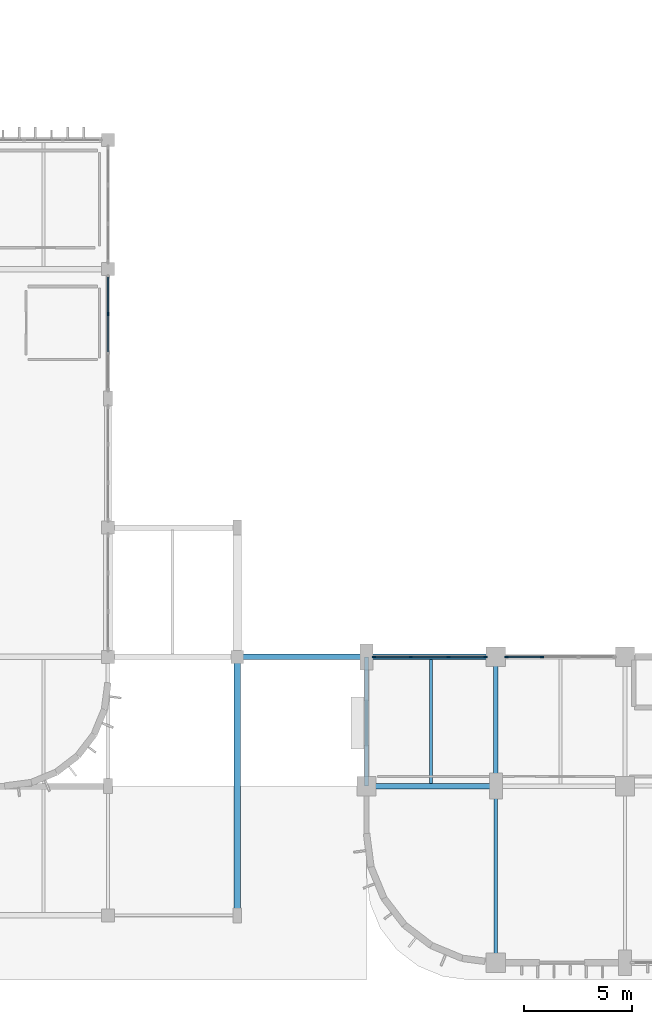
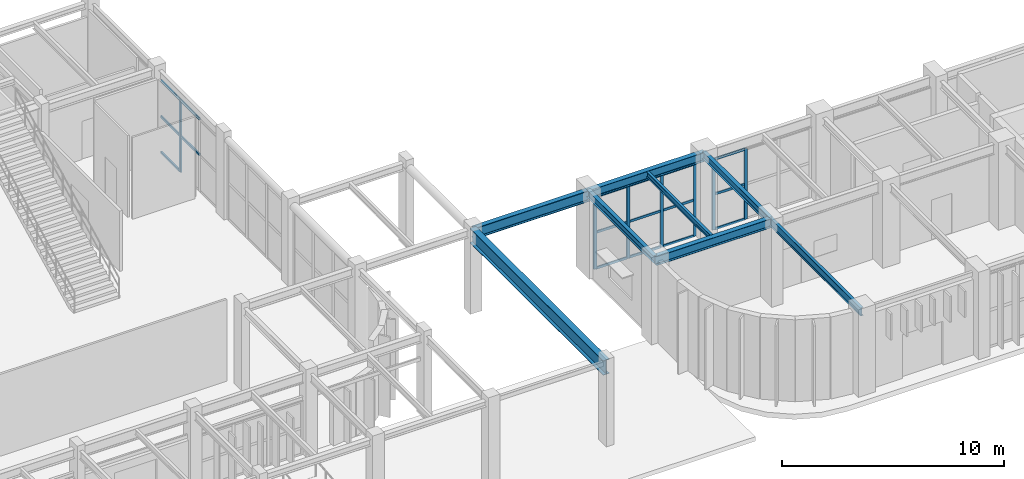
# One storey, part 16 of 76: 24 members, 8 beams, 3 elements without a shape of their own.
"""IFC4 building model written with IfcOpenShell, lengths in metres."""

from ifc_helpers import new_model, si_unit, direction, frame, origin, origin_2d, place, context, subcontext, project, spatial, rectangle, i_section, extrude, material, material_profile, profile_set, type_object, element, aggregate, save


model = new_model("IFC4")

# Units and contexts
model_context = context("Model", 3, precision=1e-05, world=origin(), true_north=direction((0.0, 1.0)))
body_context = subcontext(model_context, "Body", "Model", "MODEL_VIEW")
ifc_project = project(units=[si_unit("LENGTHUNIT", "METRE"), si_unit("AREAUNIT", "SQUARE_METRE"), si_unit("VOLUMEUNIT", "CUBIC_METRE"), si_unit("PLANEANGLEUNIT", "RADIAN"), si_unit("MASSUNIT", "GRAM", prefix="KILO")], contexts=[model_context])

# Site, building, storey
site_placement = place(None, origin())
site = spatial("IfcSite", under=ifc_project, at=site_placement, CompositionType="ELEMENT")
building_placement = place(site_placement, origin())
building = spatial("IfcBuilding", under=site, at=building_placement, Name="Varnakota Square Police Headquarters", CompositionType="ELEMENT")
storey_placement = place(building_placement, origin())
storey = spatial("IfcBuildingStorey", under=building, at=storey_placement, Name="L00", CompositionType="ELEMENT", Elevation=0.0)

# Beams
ifc_material_1 = material(Name="Steel IS 2062 Grade 350", Category="steel")
ifc_material_profile_1 = material_profile(ifc_material_1, i_section(OverallWidth=0.320068359375, OverallDepth=0.800048828125, WebThickness=0.01611328125, FlangeThickness=0.028076171875, at=origin_2d()), Name="BPG 800x320")
ifc_profile_set_1 = profile_set([ifc_material_profile_1], Name="Steel IS 2062 Grade 350")
beam_type_1 = type_object("IfcBeamType", Name="BM-BPG800", PredefinedType="BEAM", material=ifc_profile_set_1)
beam_1_placement = place(storey_placement, frame((102.0, 3.0, 4.10009765625), z_axis=(0.0, 1.0, 0.0), x_axis=(-1.0, 0.0, 0.0)))
element("IfcBeam", 1, at=beam_1_placement, inside=storey, type_object=beam_type_1, Name="BMG-L00-1079", PredefinedType="BEAM", context=body_context, shape_type="SweptSolid", body=[
    extrude(i_section(OverallWidth=0.320068359375, OverallDepth=0.800048828125, WebThickness=0.01611328125, FlangeThickness=0.028076171875, at=origin_2d()), origin(), (0.0, 0.0, 1.0), 12.0),
])
ifc_material_profile_2 = material_profile(ifc_material_1, i_section(OverallWidth=0.139892578125, OverallDepth=0.300048828125, WebThickness=0.0078125, FlangeThickness=0.01318359375, FilletRadius=0.013916015625, at=origin_2d()), Name="ISMB 300")
ifc_profile_set_2 = profile_set([ifc_material_profile_2], Name="Steel IS 2062 Grade 350")
beam_type_2 = type_object("IfcBeamType", Name="BM-ISMB300", PredefinedType="JOIST", material=ifc_profile_set_2)
beam_2_placement = place(storey_placement, frame((111.0, 9.123046875, 4.35009765625), z_axis=(0.0, 1.0, 0.0), x_axis=(-1.0, 0.0, 0.0)))
element("IfcBeam", 2, at=beam_2_placement, inside=storey, type_object=beam_type_2, Name="BMG-L00-1257", PredefinedType="JOIST", context=body_context, shape_type="SweptSolid", body=[
    extrude(i_section(OverallWidth=0.139892578125, OverallDepth=0.300048828125, WebThickness=0.0078125, FlangeThickness=0.01318359375, FilletRadius=0.013916015625, at=origin_2d()), origin(), (0.0, 0.0, 1.0), 5.75390625),
])
ifc_material_profile_3 = material_profile(ifc_material_1, i_section(OverallWidth=0.14990234375, OverallDepth=0.449951171875, WebThickness=0.009521484375, FlangeThickness=0.017333984375, FilletRadius=0.014892578125, at=origin_2d()), Name="ISMB 450")
ifc_profile_set_3 = profile_set([ifc_material_profile_3], Name="Steel IS 2062 Grade 350")
beam_type_3 = type_object("IfcBeamType", Name="BM-ISMB450", PredefinedType="BEAM", material=ifc_profile_set_3)
beam_3_placement = place(storey_placement, frame((114.0, 0.800048828125, 4.27490234375), z_axis=(0.0, 1.0, 0.0), x_axis=(-1.0, 0.0, 0.0)))
element("IfcBeam", 3, at=beam_3_placement, inside=storey, type_object=beam_type_3, Name="BMG-L00-1087", PredefinedType="BEAM", context=body_context, shape_type="SweptSolid", body=[
    extrude(i_section(OverallWidth=0.14990234375, OverallDepth=0.449951171875, WebThickness=0.009521484375, FlangeThickness=0.017333984375, FilletRadius=0.014892578125, at=origin_2d()), origin(), (0.0, 0.0, 1.0), 8.199951171875),
])
ifc_material_profile_4 = material_profile(ifc_material_1, i_section(OverallWidth=0.199951171875, OverallDepth=0.39990234375, WebThickness=0.008544921875, FlangeThickness=0.012939453125, FilletRadius=0.012939453125, at=origin_2d()), Name="ISWB 400")
ifc_profile_set_4 = profile_set([ifc_material_profile_4], Name="Steel IS 2062 Grade 350")
beam_type_4 = type_object("IfcBeamType", Name="BM-ISWB400", PredefinedType="BEAM", material=ifc_profile_set_4)
for number, where, z_axis, x_axis, name in (
    (4, (108.0, 9.0, 4.300048828125), (0.0, 1.0, 0.0), (-1.0, 0.0, 0.0), "BMG-L00-1081"),
    (5, (114.0, 9.0, 4.300048828125), (0.0, 1.0, 0.0), (-1.0, 0.0, 0.0), "BMG-L00-1088"),
):
    element("IfcBeam", number, at=place(storey_placement, frame(where, z_axis=z_axis, x_axis=x_axis)), inside=storey, type_object=beam_type_4, Name=name, PredefinedType="BEAM", context=body_context, shape_type="SweptSolid", body=[
        extrude(i_section(OverallWidth=0.199951171875, OverallDepth=0.39990234375, WebThickness=0.008544921875, FlangeThickness=0.012939453125, FilletRadius=0.012939453125, at=origin_2d()), origin(), (0.0, 0.0, 1.0), 6.0),
    ])
ifc_material_profile_5 = material_profile(ifc_material_1, i_section(OverallWidth=0.25, OverallDepth=0.5, WebThickness=0.010009765625, FlangeThickness=0.0146484375, FilletRadius=0.014892578125, at=origin_2d()), Name="ISWB 500")
ifc_profile_set_5 = profile_set([ifc_material_profile_5], Name="Steel IS 2062 Grade 350")
beam_type_5 = type_object("IfcBeamType", Name="BM-ISWB500", PredefinedType="BEAM", material=ifc_profile_set_5)
for number, where, z_axis, x_axis, name in (
    (6, (108.0, 9.0, 4.25), (1.0, 0.0, 0.0), (0.0, 1.0, 0.0), "BMG-L00-0718"),
    (7, (108.0, 15.0, 4.25), (1.0, 0.0, 0.0), (0.0, 1.0, 0.0), "BMG-L00-0734"),
):
    element("IfcBeam", number, at=place(storey_placement, frame(where, z_axis=z_axis, x_axis=x_axis)), inside=storey, type_object=beam_type_5, Name=name, PredefinedType="BEAM", context=body_context, shape_type="SweptSolid", body=[
        extrude(i_section(OverallWidth=0.25, OverallDepth=0.5, WebThickness=0.010009765625, FlangeThickness=0.0146484375, FilletRadius=0.014892578125, at=origin_2d()), origin(), (0.0, 0.0, 1.0), 6.0),
    ])
ifc_material_profile_6 = material_profile(ifc_material_1, i_section(OverallWidth=0.25, OverallDepth=0.60009765625, WebThickness=0.01171875, FlangeThickness=0.023681640625, FilletRadius=0.01708984375, at=origin_2d()), Name="ISWB 600")
ifc_profile_set_6 = profile_set([ifc_material_profile_6], Name="Steel IS 2062 Grade 350")
beam_type_6 = type_object("IfcBeamType", Name="BM-ISWB600", PredefinedType="BEAM", material=ifc_profile_set_6)
beam_4_placement = place(storey_placement, frame((102.0, 15.0, 4.199951171875), z_axis=(1.0, 0.0, 0.0), x_axis=(0.0, 1.0, 0.0)))
element("IfcBeam", 8, at=beam_4_placement, inside=storey, type_object=beam_type_6, Name="BMG-L00-0733", PredefinedType="BEAM", context=body_context, shape_type="SweptSolid", body=[
    extrude(i_section(OverallWidth=0.25, OverallDepth=0.60009765625, WebThickness=0.01171875, FlangeThickness=0.023681640625, FilletRadius=0.01708984375, at=origin_2d()), origin(), (0.0, 0.0, 1.0), 6.0),
])

# Curtain wall, member
ifc_material_2 = material(Name="Anodised Aluminium Framing", Category="aluminium")
curtain_wall_type_1 = type_object("IfcCurtainWallType", Name="CW-SYS-A", PredefinedType="NOTDEFINED", material=ifc_material_2)
curtain_wall_1_placement = place(storey_placement, origin())
curtain_wall_1 = element("IfcCurtainWall", 9, at=curtain_wall_1_placement, inside=storey, type_object=curtain_wall_type_1, Name="Unitised curtain wall CWG-L00-013", PredefinedType="NOTDEFINED")
ifc_material_3 = material(Name="Anodised Aluminium 6063-T6", Category="aluminium")
ifc_material_profile_7 = material_profile(ifc_material_3, rectangle(XDim=0.06494140625, YDim=0.159912109375, at=origin_2d()), Name="ALU MULLION 65x160")
ifc_profile_set_7 = profile_set([ifc_material_profile_7], Name="Anodised Aluminium 6063-T6")
member_type_1 = type_object("IfcMemberType", Name="CWM-150", PredefinedType="MULLION", material=ifc_profile_set_7)
member_1_placement = place(storey_placement, frame((96.0, 30.9150390625, 0.0), z_axis=(0.0, 0.0, 1.0), x_axis=(-1.0, 0.0, 0.0)))
member_1 = element("IfcMember", 10, at=member_1_placement, type_object=member_type_1, Name="CWG-L00-013 mullion 3", PredefinedType="MULLION", context=body_context, shape_type="SweptSolid", body=[
    extrude(rectangle(XDim=0.06494140625, YDim=0.159912109375, at=origin_2d()), origin(), (0.0, 0.0, 1.0), 3.989990234375),
])

# Curtain wall, members
curtain_wall_type_2 = type_object("IfcCurtainWallType", Name="CW-SYS-D", PredefinedType="NOTDEFINED", material=ifc_material_2)
curtain_wall_2_placement = place(storey_placement, origin())
curtain_wall_2 = element("IfcCurtainWall", 11, at=curtain_wall_2_placement, inside=storey, type_object=curtain_wall_type_2, Name="Unitised curtain wall CWG-L00-049", PredefinedType="NOTDEFINED")
member_2_placement = place(storey_placement, frame((108.33740234375, 15.0, 0.0), z_axis=(0.0, 0.0, 1.0), x_axis=(0.0, 1.0, 0.0)))
member_2 = element("IfcMember", 12, at=member_2_placement, type_object=member_type_1, Name="CWG-L00-049 mullion 1", PredefinedType="MULLION", context=body_context, shape_type="SweptSolid", body=[
    extrude(rectangle(XDim=0.06494140625, YDim=0.159912109375, at=origin_2d()), origin(), (0.0, 0.0, 1.0), 3.989990234375),
])
member_3_placement = place(storey_placement, frame((110.0517578125, 15.0, 0.0), z_axis=(0.0, 0.0, 1.0), x_axis=(0.0, 1.0, 0.0)))
member_3 = element("IfcMember", 13, at=member_3_placement, type_object=member_type_1, Name="CWG-L00-049 mullion 2", PredefinedType="MULLION", context=body_context, shape_type="SweptSolid", body=[
    extrude(rectangle(XDim=0.06494140625, YDim=0.159912109375, at=origin_2d()), origin(), (0.0, 0.0, 1.0), 3.989990234375),
])
member_4_placement = place(storey_placement, frame((111.79833984375, 15.0, 0.0), z_axis=(0.0, 0.0, 1.0), x_axis=(0.0, 1.0, 0.0)))
member_4 = element("IfcMember", 14, at=member_4_placement, type_object=member_type_1, Name="CWG-L00-049 mullion 3", PredefinedType="MULLION", context=body_context, shape_type="SweptSolid", body=[
    extrude(rectangle(XDim=0.06494140625, YDim=0.159912109375, at=origin_2d()), origin(), (0.0, 0.0, 1.0), 3.989990234375),
])
member_5_placement = place(storey_placement, frame((113.512451171875, 15.0, 0.0), z_axis=(0.0, 0.0, 1.0), x_axis=(0.0, 1.0, 0.0)))
member_5 = element("IfcMember", 15, at=member_5_placement, type_object=member_type_1, Name="CWG-L00-049 mullion 4", PredefinedType="MULLION", context=body_context, shape_type="SweptSolid", body=[
    extrude(rectangle(XDim=0.06494140625, YDim=0.159912109375, at=origin_2d()), origin(), (0.0, 0.0, 1.0), 3.989990234375),
])

curtain_wall_3_placement = place(storey_placement, origin())
curtain_wall_3 = element("IfcCurtainWall", 16, at=curtain_wall_3_placement, inside=storey, type_object=curtain_wall_type_2, Name="Unitised curtain wall CWG-L00-050", PredefinedType="NOTDEFINED")
member_6_placement = place(storey_placement, frame((114.487548828125, 15.0, 0.0), z_axis=(0.0, 0.0, 1.0), x_axis=(0.0, 1.0, 0.0)))
member_6 = element("IfcMember", 17, at=member_6_placement, type_object=member_type_1, Name="CWG-L00-050 mullion 1", PredefinedType="MULLION", context=body_context, shape_type="SweptSolid", body=[
    extrude(rectangle(XDim=0.06494140625, YDim=0.159912109375, at=origin_2d()), origin(), (0.0, 0.0, 1.0), 3.889892578125),
])
member_7_placement = place(storey_placement, frame((116.151611328125, 15.0, 0.0), z_axis=(0.0, 0.0, 1.0), x_axis=(0.0, 1.0, 0.0)))
member_7 = element("IfcMember", 18, at=member_7_placement, type_object=member_type_1, Name="CWG-L00-050 mullion 2", PredefinedType="MULLION", context=body_context, shape_type="SweptSolid", body=[
    extrude(rectangle(XDim=0.06494140625, YDim=0.159912109375, at=origin_2d()), origin(), (0.0, 0.0, 1.0), 3.889892578125),
])

# Member
ifc_material_profile_8 = material_profile(ifc_material_3, rectangle(XDim=0.06494140625, YDim=0.1298828125, at=origin_2d()), Name="ALU TRANSOM 65x130")
ifc_profile_set_8 = profile_set([ifc_material_profile_8], Name="Anodised Aluminium 6063-T6")
member_type_2 = type_object("IfcMemberType", Name="CWT-120", PredefinedType="USERDEFINED", material=ifc_profile_set_8)
member_8_placement = place(storey_placement, frame((96.0, 29.16748046875, 1.9951171875), z_axis=(0.0, 1.0, 0.0), x_axis=(-1.0, 0.0, 0.0)))
member_8 = element("IfcMember", 19, at=member_8_placement, type_object=member_type_2, Name="CWG-L00-013 transom 2.2", ObjectType="TRANSOM", PredefinedType="USERDEFINED", context=body_context, shape_type="SweptSolid", body=[
    extrude(rectangle(XDim=0.06494140625, YDim=0.1298828125, at=origin_2d()), origin(), (0.0, 0.0, 1.0), 1.715087890625),
])

member_9_placement = place(storey_placement, frame((96.0, 29.16748046875, 3.95751953125), z_axis=(0.0, 1.0, 0.0), x_axis=(-1.0, 0.0, 0.0)))
member_9 = element("IfcMember", 20, at=member_9_placement, type_object=member_type_2, Name="CWG-L00-013 transom 2.3", ObjectType="TRANSOM", PredefinedType="USERDEFINED", context=body_context, shape_type="SweptSolid", body=[
    extrude(rectangle(XDim=0.06494140625, YDim=0.1298828125, at=origin_2d()), origin(), (0.0, 0.0, 1.0), 1.715087890625),
])

member_10_placement = place(storey_placement, frame((96.0, 30.947509765625, 0.032470703125), z_axis=(0.0, 1.0, 0.0), x_axis=(-1.0, 0.0, 0.0)))
member_10 = element("IfcMember", 21, at=member_10_placement, type_object=member_type_2, Name="CWG-L00-013 transom 3.1", ObjectType="TRANSOM", PredefinedType="USERDEFINED", context=body_context, shape_type="SweptSolid", body=[
    extrude(rectangle(XDim=0.06494140625, YDim=0.1298828125, at=origin_2d()), origin(), (0.0, 0.0, 1.0), 1.682373046875),
])

member_11_placement = place(storey_placement, frame((96.0, 30.947509765625, 1.9951171875), z_axis=(0.0, 1.0, 0.0), x_axis=(-1.0, 0.0, 0.0)))
member_11 = element("IfcMember", 22, at=member_11_placement, type_object=member_type_2, Name="CWG-L00-013 transom 3.2", ObjectType="TRANSOM", PredefinedType="USERDEFINED", context=body_context, shape_type="SweptSolid", body=[
    extrude(rectangle(XDim=0.06494140625, YDim=0.1298828125, at=origin_2d()), origin(), (0.0, 0.0, 1.0), 1.682373046875),
])

member_12_placement = place(storey_placement, frame((96.0, 30.947509765625, 3.95751953125), z_axis=(0.0, 1.0, 0.0), x_axis=(-1.0, 0.0, 0.0)))
member_12 = element("IfcMember", 23, at=member_12_placement, type_object=member_type_2, Name="CWG-L00-013 transom 3.3", ObjectType="TRANSOM", PredefinedType="USERDEFINED", context=body_context, shape_type="SweptSolid", body=[
    extrude(rectangle(XDim=0.06494140625, YDim=0.1298828125, at=origin_2d()), origin(), (0.0, 0.0, 1.0), 1.682373046875),
])

aggregate(curtain_wall_1, [member_1, member_8, member_9, member_10, member_11, member_12])

member_13_placement = place(storey_placement, frame((108.3701171875, 15.0, 0.032470703125), z_axis=(1.0, 0.0, 0.0), x_axis=(0.0, 1.0, 0.0)))
member_13 = element("IfcMember", 24, at=member_13_placement, type_object=member_type_2, Name="CWG-L00-049 transom 1.1", ObjectType="TRANSOM", PredefinedType="USERDEFINED", context=body_context, shape_type="SweptSolid", body=[
    extrude(rectangle(XDim=0.06494140625, YDim=0.1298828125, at=origin_2d()), origin(), (0.0, 0.0, 1.0), 1.649169921875),
])

member_14_placement = place(storey_placement, frame((108.3701171875, 15.0, 1.9951171875), z_axis=(1.0, 0.0, 0.0), x_axis=(0.0, 1.0, 0.0)))
member_14 = element("IfcMember", 25, at=member_14_placement, type_object=member_type_2, Name="CWG-L00-049 transom 1.2", ObjectType="TRANSOM", PredefinedType="USERDEFINED", context=body_context, shape_type="SweptSolid", body=[
    extrude(rectangle(XDim=0.06494140625, YDim=0.1298828125, at=origin_2d()), origin(), (0.0, 0.0, 1.0), 1.649169921875),
])

member_15_placement = place(storey_placement, frame((108.3701171875, 15.0, 3.95751953125), z_axis=(1.0, 0.0, 0.0), x_axis=(0.0, 1.0, 0.0)))
member_15 = element("IfcMember", 26, at=member_15_placement, type_object=member_type_2, Name="CWG-L00-049 transom 1.3", ObjectType="TRANSOM", PredefinedType="USERDEFINED", context=body_context, shape_type="SweptSolid", body=[
    extrude(rectangle(XDim=0.06494140625, YDim=0.1298828125, at=origin_2d()), origin(), (0.0, 0.0, 1.0), 1.649169921875),
])

member_16_placement = place(storey_placement, frame((110.084228515625, 15.0, 0.032470703125), z_axis=(1.0, 0.0, 0.0), x_axis=(0.0, 1.0, 0.0)))
member_16 = element("IfcMember", 27, at=member_16_placement, type_object=member_type_2, Name="CWG-L00-049 transom 2.1", ObjectType="TRANSOM", PredefinedType="USERDEFINED", context=body_context, shape_type="SweptSolid", body=[
    extrude(rectangle(XDim=0.06494140625, YDim=0.1298828125, at=origin_2d()), origin(), (0.0, 0.0, 1.0), 1.681640625),
])

member_17_placement = place(storey_placement, frame((110.084228515625, 15.0, 1.9951171875), z_axis=(1.0, 0.0, 0.0), x_axis=(0.0, 1.0, 0.0)))
member_17 = element("IfcMember", 28, at=member_17_placement, type_object=member_type_2, Name="CWG-L00-049 transom 2.2", ObjectType="TRANSOM", PredefinedType="USERDEFINED", context=body_context, shape_type="SweptSolid", body=[
    extrude(rectangle(XDim=0.06494140625, YDim=0.1298828125, at=origin_2d()), origin(), (0.0, 0.0, 1.0), 1.681640625),
])

member_18_placement = place(storey_placement, frame((110.084228515625, 15.0, 3.95751953125), z_axis=(1.0, 0.0, 0.0), x_axis=(0.0, 1.0, 0.0)))
member_18 = element("IfcMember", 29, at=member_18_placement, type_object=member_type_2, Name="CWG-L00-049 transom 2.3", ObjectType="TRANSOM", PredefinedType="USERDEFINED", context=body_context, shape_type="SweptSolid", body=[
    extrude(rectangle(XDim=0.06494140625, YDim=0.1298828125, at=origin_2d()), origin(), (0.0, 0.0, 1.0), 1.681640625),
])

member_19_placement = place(storey_placement, frame((111.830810546875, 15.0, 0.032470703125), z_axis=(1.0, 0.0, 0.0), x_axis=(0.0, 1.0, 0.0)))
member_19 = element("IfcMember", 30, at=member_19_placement, type_object=member_type_2, Name="CWG-L00-049 transom 3.1", ObjectType="TRANSOM", PredefinedType="USERDEFINED", context=body_context, shape_type="SweptSolid", body=[
    extrude(rectangle(XDim=0.06494140625, YDim=0.1298828125, at=origin_2d()), origin(), (0.0, 0.0, 1.0), 1.649169921875),
])

member_20_placement = place(storey_placement, frame((111.830810546875, 15.0, 1.9951171875), z_axis=(1.0, 0.0, 0.0), x_axis=(0.0, 1.0, 0.0)))
member_20 = element("IfcMember", 31, at=member_20_placement, type_object=member_type_2, Name="CWG-L00-049 transom 3.2", ObjectType="TRANSOM", PredefinedType="USERDEFINED", context=body_context, shape_type="SweptSolid", body=[
    extrude(rectangle(XDim=0.06494140625, YDim=0.1298828125, at=origin_2d()), origin(), (0.0, 0.0, 1.0), 1.649169921875),
])

member_21_placement = place(storey_placement, frame((111.830810546875, 15.0, 3.95751953125), z_axis=(1.0, 0.0, 0.0), x_axis=(0.0, 1.0, 0.0)))
member_21 = element("IfcMember", 32, at=member_21_placement, type_object=member_type_2, Name="CWG-L00-049 transom 3.3", ObjectType="TRANSOM", PredefinedType="USERDEFINED", context=body_context, shape_type="SweptSolid", body=[
    extrude(rectangle(XDim=0.06494140625, YDim=0.1298828125, at=origin_2d()), origin(), (0.0, 0.0, 1.0), 1.649169921875),
])

aggregate(curtain_wall_2, [member_2, member_3, member_4, member_5, member_13, member_14, member_15, member_16, member_17, member_18, member_19, member_20, member_21])

member_22_placement = place(storey_placement, frame((114.52001953125, 15.0, 0.032470703125), z_axis=(1.0, 0.0, 0.0), x_axis=(0.0, 1.0, 0.0)))
member_22 = element("IfcMember", 33, at=member_22_placement, type_object=member_type_2, Name="CWG-L00-050 transom 1.1", ObjectType="TRANSOM", PredefinedType="USERDEFINED", context=body_context, shape_type="SweptSolid", body=[
    extrude(rectangle(XDim=0.06494140625, YDim=0.1298828125, at=origin_2d()), origin(), (0.0, 0.0, 1.0), 1.59912109375),
])

member_23_placement = place(storey_placement, frame((114.52001953125, 15.0, 1.945068359375), z_axis=(1.0, 0.0, 0.0), x_axis=(0.0, 1.0, 0.0)))
member_23 = element("IfcMember", 34, at=member_23_placement, type_object=member_type_2, Name="CWG-L00-050 transom 1.2", ObjectType="TRANSOM", PredefinedType="USERDEFINED", context=body_context, shape_type="SweptSolid", body=[
    extrude(rectangle(XDim=0.06494140625, YDim=0.1298828125, at=origin_2d()), origin(), (0.0, 0.0, 1.0), 1.59912109375),
])

member_24_placement = place(storey_placement, frame((114.52001953125, 15.0, 3.857421875), z_axis=(1.0, 0.0, 0.0), x_axis=(0.0, 1.0, 0.0)))
member_24 = element("IfcMember", 35, at=member_24_placement, type_object=member_type_2, Name="CWG-L00-050 transom 1.3", ObjectType="TRANSOM", PredefinedType="USERDEFINED", context=body_context, shape_type="SweptSolid", body=[
    extrude(rectangle(XDim=0.06494140625, YDim=0.1298828125, at=origin_2d()), origin(), (0.0, 0.0, 1.0), 1.59912109375),
])

aggregate(curtain_wall_3, [member_6, member_7, member_22, member_23, member_24])

save(model, "model.ifc")
